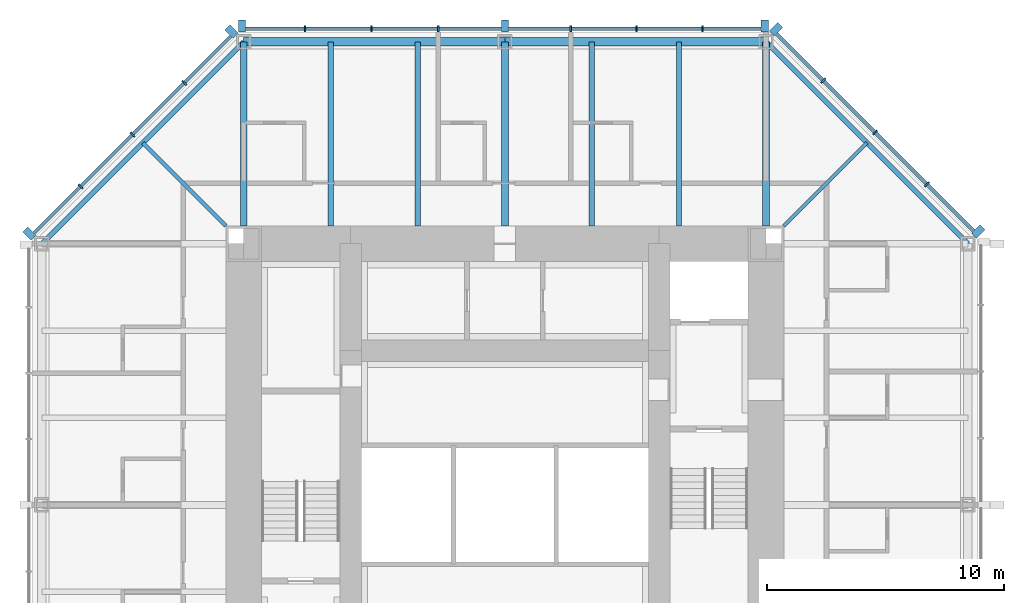
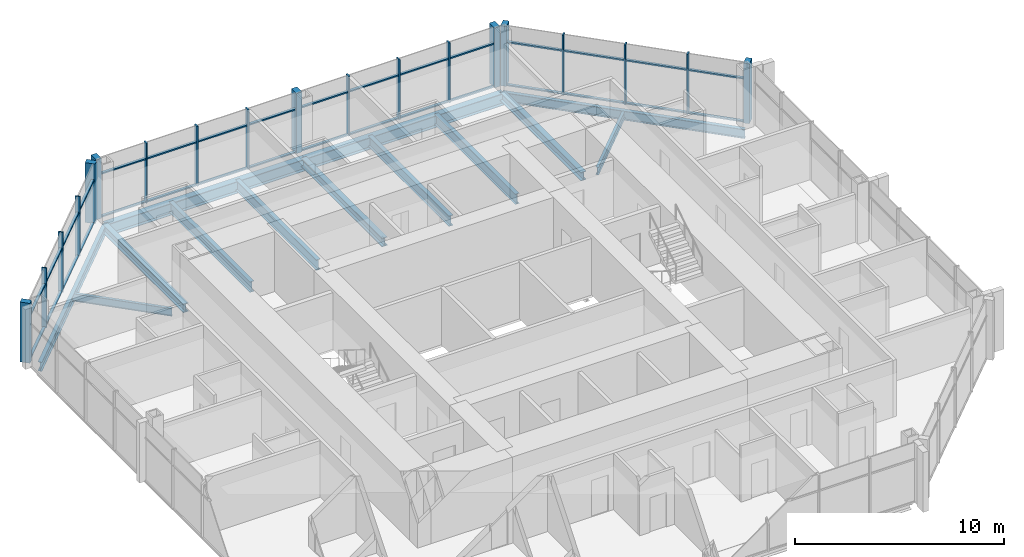
# One storey, part 5 of 12: 51 members, 13 beams, 3 elements without a shape of their own.
"""IFC4 building model written with IfcOpenShell, lengths in metres."""

import ifcopenshell
import ifcopenshell.guid

model = None  # the IFC model being written
_history = None  # IfcOwnerHistory: only IFC2X3 demands one
_inside = {}  # id of a spatial element -> (the spatial element, [elements in it])
_under = {}  # id of a project, library or spatial element -> (it, [spatial elements below it])
_declared = {}  # id of a project -> (the project, [libraries it declares])
_typed = {}  # id of a type object -> (the type object, [elements of that type])
_made_of = {}  # id of a material, layer set ... -> (it, [elements and type objects made of it])


def new_model(schema):
    """Start an empty IFC model of exactly this schema.

    Asked for "IFC4X3", IfcOpenShell would pick the latest addendum, in which some entities
    have other attributes; the version numbers below select the first issue.
    IFC2X3 requires an IfcOwnerHistory on every rooted entity: one is made here for all.
    """
    global model, _history
    if schema == "IFC4X3":
        model = ifcopenshell.file(schema_version=(4, 3, 0, 0))
    else:
        model = ifcopenshell.file(schema=schema)
    _inside.clear()
    _under.clear()
    _declared.clear()
    _typed.clear()
    _made_of.clear()
    _history = None
    if model.schema == "IFC2X3":
        org = make("IfcOrganization", Name="unknown")
        user = make(
            "IfcPersonAndOrganization",
            ThePerson=make("IfcPerson", FamilyName="unknown"),
            TheOrganization=org,
        )
        app = make(
            "IfcApplication",
            ApplicationDeveloper=org,
            Version="unknown",
            ApplicationFullName="unknown",
            ApplicationIdentifier="unknown",
        )
        _history = make(
            "IfcOwnerHistory",
            OwningUser=user,
            OwningApplication=app,
            ChangeAction="ADDED",
            CreationDate=0,
        )
    return model


def make(cls, **values):
    """One entity of the class cls with the attributes given. An attribute that is None is left unset."""
    return model.create_entity(
        cls, **{name: value for name, value in values.items() if value is not None}
    )


def rooted(cls, **values):
    """An entity with a GlobalId (a new one), such as an element, a storey or a relation."""
    return make(cls, GlobalId=ifcopenshell.guid.new(), OwnerHistory=_history, **values)


def si_unit(unit_type, name, prefix=None):
    """IfcSIUnit, for example si_unit("LENGTHUNIT", "METRE", prefix="MILLI")."""
    return make("IfcSIUnit", UnitType=unit_type, Prefix=prefix, Name=name)


def assignment(units):
    """IfcUnitAssignment: the units of a project."""
    return None if units is None else make("IfcUnitAssignment", Units=units)


def point(xyz):
    """IfcCartesianPoint."""
    return None if xyz is None else make("IfcCartesianPoint", Coordinates=xyz)


def direction(xyz):
    """IfcDirection."""
    return None if xyz is None else make("IfcDirection", DirectionRatios=xyz)


def frame(location, z_axis=None, x_axis=None):
    """IfcAxis2Placement3D, a coordinate frame: its origin and axes. An axis left out is left unset."""
    return make(
        "IfcAxis2Placement3D",
        Location=point(location),
        Axis=direction(z_axis),
        RefDirection=direction(x_axis),
    )


def frame_2d(location, x_axis=None):
    """IfcAxis2Placement2D, a coordinate frame in the plane: its origin and x axis."""
    return make(
        "IfcAxis2Placement2D", Location=point(location), RefDirection=direction(x_axis)
    )


def origin():
    """The frame at (0, 0, 0) with its axes left unset."""
    return frame((0.0, 0.0, 0.0))


def origin_2d():
    """The frame at (0, 0) in the plane with its x axis left unset."""
    return frame_2d((0.0, 0.0))


def place(relative_to, where):
    """IfcLocalPlacement: puts the frame where relative to a parent placement (None: the world)."""
    return make(
        "IfcLocalPlacement", PlacementRelTo=relative_to, RelativePlacement=where
    )


def context(
    kind, dimensions, precision=None, world=None, true_north=None, identifier=None
):
    """IfcGeometricRepresentationContext, for example the 3D "Model" context."""
    return make(
        "IfcGeometricRepresentationContext",
        ContextIdentifier=identifier,
        ContextType=kind,
        CoordinateSpaceDimension=dimensions,
        Precision=precision,
        WorldCoordinateSystem=world,
        TrueNorth=true_north,
    )


def subcontext(parent, identifier, kind, view, scale=None):
    """IfcGeometricRepresentationSubContext, for example "Body" below "Model"."""
    return make(
        "IfcGeometricRepresentationSubContext",
        ContextIdentifier=identifier,
        ContextType=kind,
        ParentContext=parent,
        TargetScale=scale,
        TargetView=view,
    )


def project(units=None, contexts=None):
    """IfcProject with its units and contexts."""
    return rooted(
        "IfcProject",
        Name="project",
        RepresentationContexts=contexts,
        UnitsInContext=assignment(units),
    )


def spatial(cls, under=None, at=None, **own):
    """A site, building, storey or space (cls), placed at a placement, below another one or the project."""
    s = rooted(cls, ObjectPlacement=at, **own)
    if under is not None:
        _under.setdefault(under.id(), (under, []))[1].append(s)
    return s


def profile(cls, at=None, kind="AREA", **sizes):
    """A parametric profile (cls). Its sizes go by their IFC names, for example OverallWidth=200.0."""
    return make(cls, ProfileType=kind, Position=at, **sizes)


def rectangle(**sizes):
    """IfcRectangleProfileDef."""
    return profile("IfcRectangleProfileDef", **sizes)


def i_section(**sizes):
    """IfcIShapeProfileDef."""
    return profile("IfcIShapeProfileDef", **sizes)


def extrude(swept, where, along, depth):
    """IfcExtrudedAreaSolid: the profile swept, set in the frame where, extruded along a direction by depth."""
    return make(
        "IfcExtrudedAreaSolid",
        SweptArea=swept,
        Position=where,
        ExtrudedDirection=direction(along),
        Depth=depth,
    )


def shape(context_of_items, identifier, shape_type, items):
    """IfcShapeRepresentation: the items that make up one representation, for example the "Body"."""
    return make(
        "IfcShapeRepresentation",
        ContextOfItems=context_of_items,
        RepresentationIdentifier=identifier,
        RepresentationType=shape_type,
        Items=items,
    )


def material(Name=None, Category=None):
    """IfcMaterial."""
    return make("IfcMaterial", Name=Name, Category=Category)


def material_profile(
    of_material, cross_section, Name=None, Category=None, Priority=None
):
    """IfcMaterialProfile: a cross section and its material."""
    return make(
        "IfcMaterialProfile",
        Name=Name,
        Material=of_material,
        Profile=cross_section,
        Priority=Priority,
        Category=Category,
    )


def profile_set(profiles, Name=None, composite=None):
    """IfcMaterialProfileSet."""
    return make(
        "IfcMaterialProfileSet",
        Name=Name,
        MaterialProfiles=profiles,
        CompositeProfile=composite,
    )


def made_of(thing, what):
    """Note that an element or type object is made of a material, layer set ...; save() writes the relation."""
    if what is not None:
        _made_of.setdefault(what.id(), (what, []))[1].append(thing)
    return thing


def type_object(cls, material=None, **own):
    """A type object (cls), such as IfcWallType, which elements share."""
    return made_of(rooted(cls, **own), material)


def element(
    cls,
    number,
    at=None,
    inside=None,
    cuts=None,
    type_object=None,
    material=None,
    context=None,
    identifier="Body",
    shape_type=None,
    held_by="IfcProductDefinitionShape",
    body=None,
    shapes=None,
    **own,
):
    """One element of the class cls, such as IfcWall. Its Tag is "e" and its number.

    at: its placement. inside: the storey or other place that contains it. cuts: it is an
    opening in that element (IfcRelVoidsElement). A single representation is given by context,
    identifier, shape_type and body (its items); several are given by shapes. held_by: the class
    of the entity that holds the representations. save() writes the other relations.
    """
    e = rooted(cls, Tag="e%d" % number, ObjectPlacement=at, **own)
    if body is not None:
        shapes = [shape(context, identifier, shape_type, body)]
    if shapes is not None:
        e.Representation = make(held_by, Representations=shapes)
    if inside is not None:
        _inside.setdefault(inside.id(), (inside, []))[1].append(e)
    if cuts is not None:
        rooted(
            "IfcRelVoidsElement", RelatingBuildingElement=cuts, RelatedOpeningElement=e
        )
    if type_object is not None:
        _typed.setdefault(type_object.id(), (type_object, []))[1].append(e)
    return made_of(e, material)


def aggregate(whole, parts):
    """IfcRelAggregates: a whole, such as a stair, and the parts it consists of."""
    return rooted("IfcRelAggregates", RelatingObject=whole, RelatedObjects=parts)


def save(model, path):
    """Write the relations noted so far, then the file.

    IfcRelAggregates (storeys below a building ...), IfcRelContainedInSpatialStructure (elements
    in a storey), IfcRelDefinesByType, IfcRelAssociatesMaterial and IfcRelDeclares: one each for
    every whole, place, type object, material and project.
    """
    for whole, parts in _under.values():
        aggregate(whole, parts)
    for where, things in _inside.values():
        rooted(
            "IfcRelContainedInSpatialStructure",
            RelatedElements=things,
            RelatingStructure=where,
        )
    for kind, things in _typed.values():
        rooted("IfcRelDefinesByType", RelatedObjects=things, RelatingType=kind)
    for what, things in _made_of.values():
        rooted("IfcRelAssociatesMaterial", RelatedObjects=things, RelatingMaterial=what)
    for by, libraries in _declared.values():
        rooted("IfcRelDeclares", RelatingContext=by, RelatedDefinitions=libraries)
    model.write(path)


model = new_model("IFC4")

# Units and contexts
model_context = context("Model", 3, precision=1e-05, world=origin(), true_north=direction((0.0, 1.0)))
body_context = subcontext(model_context, "Body", "Model", "MODEL_VIEW")
ifc_project = project(units=[si_unit("LENGTHUNIT", "METRE"), si_unit("AREAUNIT", "SQUARE_METRE"), si_unit("VOLUMEUNIT", "CUBIC_METRE"), si_unit("PLANEANGLEUNIT", "RADIAN"), si_unit("MASSUNIT", "GRAM", prefix="KILO")], contexts=[model_context])

# Site, building, storey
site_placement = place(None, origin())
site = spatial("IfcSite", under=ifc_project, at=site_placement, CompositionType="ELEMENT")
building_placement = place(site_placement, origin())
building = spatial("IfcBuilding", under=site, at=building_placement, Name="Trevanion Tower", CompositionType="ELEMENT")
storey_placement = place(building_placement, frame((0.0, 0.0, 208.199951171875)))
storey = spatial("IfcBuildingStorey", under=building, at=storey_placement, Name="L49", CompositionType="ELEMENT", Elevation=208.199951171875)

# Beams
ifc_material_1 = material(Name="Steel ASTM A992 Grade 50", Category="steel")
ifc_material_profile_1 = material_profile(ifc_material_1, i_section(OverallWidth=0.228271484375, OverallDepth=0.607177734375, WebThickness=0.01123046875, FlangeThickness=0.017333984375, at=origin_2d()), Name="W24X76")
ifc_profile_set_1 = profile_set([ifc_material_profile_1], Name="Steel ASTM A992 Grade 50")
beam_type_1 = type_object("IfcBeamType", Name="B11 W24X76", PredefinedType="BEAM", material=ifc_profile_set_1)
for number, where, z_axis, x_axis, name in (
    (1, (7.333251953125, 11.75, -0.493408203125), (0.0, 1.0, 0.0), (-1.0, 0.0, 0.0), "B11 L49"),
    (2, (3.666748046875, 11.75, -0.493408203125), (0.0, 1.0, 0.0), (-1.0, 0.0, 0.0), "B11 L49"),
    (3, (-3.666748046875, 11.75, -0.493408203125), (0.0, 1.0, 0.0), (-1.0, 0.0, 0.0), "B11 L49"),
    (4, (-7.333251953125, 11.75, -0.493408203125), (0.0, 1.0, 0.0), (-1.0, 0.0, 0.0), "B11 L49"),
):
    element("IfcBeam", number, at=place(storey_placement, frame(where, z_axis=z_axis, x_axis=x_axis)), inside=storey, type_object=beam_type_1, Name=name, PredefinedType="BEAM", context=body_context, shape_type="SweptSolid", body=[
        extrude(i_section(OverallWidth=0.228271484375, OverallDepth=0.607177734375, WebThickness=0.01123046875, FlangeThickness=0.017333984375, at=origin_2d()), origin(), (0.0, 0.0, 1.0), 7.75),
    ])
ifc_material_2 = material(Name="Steel ASTM A992 Grade 50", Category="steel")
ifc_material_profile_2 = material_profile(ifc_material_2, i_section(OverallWidth=0.15234375, OverallDepth=0.449462890625, WebThickness=0.007568359375, FlangeThickness=0.0107421875, at=origin_2d()), Name="W18X35")
ifc_profile_set_2 = profile_set([ifc_material_profile_2], Name="Steel ASTM A992 Grade 50")
beam_type_2 = type_object("IfcBeamType", Name="B12 W18X35", PredefinedType="BEAM", material=ifc_profile_set_2)
for number, where, z_axis, x_axis, name in (
    (5, (11.75, 11.75, -0.414794921875), (0.707106781187, 0.707106781187, 0.0), (-0.707106781187, 0.707106781187, 0.0), "B12 L49"),
    (6, (-11.75, 11.75, -0.414794921875), (-0.707106781187, 0.707106781187, 0.0), (-0.707106781187, -0.707106781187, 0.0), "B12 L49"),
):
    element("IfcBeam", number, at=place(storey_placement, frame(where, z_axis=z_axis, x_axis=x_axis)), inside=storey, type_object=beam_type_2, Name=name, PredefinedType="BEAM", context=body_context, shape_type="SweptSolid", body=[
        extrude(i_section(OverallWidth=0.15234375, OverallDepth=0.449462890625, WebThickness=0.007568359375, FlangeThickness=0.0107421875, at=origin_2d()), origin(), (0.0, 0.0, 1.0), 4.94970703125),
    ])

# Curtain wall, members
ifc_material_3 = material(Name="Aluminium and glass", Category="aluminium")
curtain_wall_type = type_object("IfcCurtainWallType", Name="CW3 curtain wall", PredefinedType="USERDEFINED", material=ifc_material_3)
curtain_wall_1_placement = place(storey_placement, origin())
curtain_wall_1 = element("IfcCurtainWall", 7, at=curtain_wall_1_placement, inside=storey, type_object=curtain_wall_type, Name="CW3 L49 1", ObjectType="UNITISED CURTAIN WALL", PredefinedType="USERDEFINED")
ifc_material_4 = material(Name="Aluminium extrusion, anodised bronze", Category="aluminium")
ifc_material_profile_3 = material_profile(ifc_material_4, rectangle(XDim=0.074951171875, YDim=0.25, at=origin_2d()), Name="CW3 mullion")
ifc_profile_set_3 = profile_set([ifc_material_profile_3], Name="Aluminium extrusion, anodised bronze")
member_type_1 = type_object("IfcMemberType", Name="CW3 mullion", PredefinedType="MULLION", material=ifc_profile_set_3)
member_1_placement = place(storey_placement, frame((17.775390625, 13.502197265625, -0.18994140625), z_axis=(0.0, 0.0, 1.0), x_axis=(-0.707106781187, 0.707106781187, 0.0)))
member_1 = element("IfcMember", 8, at=member_1_placement, type_object=member_type_1, Name="CW3 mullion 2", PredefinedType="MULLION", context=body_context, shape_type="SweptSolid", body=[
    extrude(rectangle(XDim=0.074951171875, YDim=0.25, at=origin_2d()), origin(), (0.0, 0.0, 1.0), 3.5),
])
member_2_placement = place(storey_placement, frame((15.593017578125, 15.684814453125, -0.18994140625), z_axis=(0.0, 0.0, 1.0), x_axis=(-0.707106781187, 0.707106781187, 0.0)))
member_2 = element("IfcMember", 9, at=member_2_placement, type_object=member_type_1, Name="CW3 mullion 3", PredefinedType="MULLION", context=body_context, shape_type="SweptSolid", body=[
    extrude(rectangle(XDim=0.074951171875, YDim=0.25, at=origin_2d()), origin(), (0.0, 0.0, 1.0), 3.5),
])
member_3_placement = place(storey_placement, frame((13.410400390625, 17.867431640625, -0.18994140625), z_axis=(0.0, 0.0, 1.0), x_axis=(-0.707106781187, 0.707106781187, 0.0)))
member_3 = element("IfcMember", 10, at=member_3_placement, type_object=member_type_1, Name="CW3 mullion 4", PredefinedType="MULLION", context=body_context, shape_type="SweptSolid", body=[
    extrude(rectangle(XDim=0.074951171875, YDim=0.25, at=origin_2d()), origin(), (0.0, 0.0, 1.0), 3.5),
])

curtain_wall_2_placement = place(storey_placement, origin())
curtain_wall_2 = element("IfcCurtainWall", 11, at=curtain_wall_2_placement, inside=storey, type_object=curtain_wall_type, Name="CW3 L49 2", ObjectType="UNITISED CURTAIN WALL", PredefinedType="USERDEFINED")
member_4_placement = place(storey_placement, frame((8.323486328125, 20.050048828125, -0.18994140625), z_axis=(0.0, 0.0, 1.0), x_axis=(-1.0, 0.0, 0.0)))
member_4 = element("IfcMember", 12, at=member_4_placement, type_object=member_type_1, Name="CW3 mullion 2", PredefinedType="MULLION", context=body_context, shape_type="SweptSolid", body=[
    extrude(rectangle(XDim=0.074951171875, YDim=0.25, at=origin_2d()), origin(), (0.0, 0.0, 1.0), 3.5),
])
member_5_placement = place(storey_placement, frame((5.548828125, 20.050048828125, -0.18994140625), z_axis=(0.0, 0.0, 1.0), x_axis=(-1.0, 0.0, 0.0)))
member_5 = element("IfcMember", 13, at=member_5_placement, type_object=member_type_1, Name="CW3 mullion 3", PredefinedType="MULLION", context=body_context, shape_type="SweptSolid", body=[
    extrude(rectangle(XDim=0.074951171875, YDim=0.25, at=origin_2d()), origin(), (0.0, 0.0, 1.0), 3.5),
])
member_6_placement = place(storey_placement, frame((2.7744140625, 20.050048828125, -0.18994140625), z_axis=(0.0, 0.0, 1.0), x_axis=(-1.0, 0.0, 0.0)))
member_6 = element("IfcMember", 14, at=member_6_placement, type_object=member_type_1, Name="CW3 mullion 4", PredefinedType="MULLION", context=body_context, shape_type="SweptSolid", body=[
    extrude(rectangle(XDim=0.074951171875, YDim=0.25, at=origin_2d()), origin(), (0.0, 0.0, 1.0), 3.5),
])
member_7_placement = place(storey_placement, frame((-2.806884765625, 20.050048828125, -0.18994140625), z_axis=(0.0, 0.0, 1.0), x_axis=(-1.0, 0.0, 0.0)))
member_7 = element("IfcMember", 15, at=member_7_placement, type_object=member_type_1, Name="CW3 mullion 6", PredefinedType="MULLION", context=body_context, shape_type="SweptSolid", body=[
    extrude(rectangle(XDim=0.074951171875, YDim=0.25, at=origin_2d()), origin(), (0.0, 0.0, 1.0), 3.5),
])
member_8_placement = place(storey_placement, frame((-5.614013671875, 20.050048828125, -0.18994140625), z_axis=(0.0, 0.0, 1.0), x_axis=(-1.0, 0.0, 0.0)))
member_8 = element("IfcMember", 16, at=member_8_placement, type_object=member_type_1, Name="CW3 mullion 7", PredefinedType="MULLION", context=body_context, shape_type="SweptSolid", body=[
    extrude(rectangle(XDim=0.074951171875, YDim=0.25, at=origin_2d()), origin(), (0.0, 0.0, 1.0), 3.5),
])
member_9_placement = place(storey_placement, frame((-8.4208984375, 20.050048828125, -0.18994140625), z_axis=(0.0, 0.0, 1.0), x_axis=(-1.0, 0.0, 0.0)))
member_9 = element("IfcMember", 17, at=member_9_placement, type_object=member_type_1, Name="CW3 mullion 8", PredefinedType="MULLION", context=body_context, shape_type="SweptSolid", body=[
    extrude(rectangle(XDim=0.074951171875, YDim=0.25, at=origin_2d()), origin(), (0.0, 0.0, 1.0), 3.5),
])

curtain_wall_3_placement = place(storey_placement, origin())
curtain_wall_3 = element("IfcCurtainWall", 18, at=curtain_wall_3_placement, inside=storey, type_object=curtain_wall_type, Name="CW3 L49 3", ObjectType="UNITISED CURTAIN WALL", PredefinedType="USERDEFINED")
member_10_placement = place(storey_placement, frame((-13.502197265625, 17.775390625, -0.18994140625), z_axis=(0.0, 0.0, 1.0), x_axis=(-0.707106781187, -0.707106781187, 0.0)))
member_10 = element("IfcMember", 19, at=member_10_placement, type_object=member_type_1, Name="CW3 mullion 2", PredefinedType="MULLION", context=body_context, shape_type="SweptSolid", body=[
    extrude(rectangle(XDim=0.074951171875, YDim=0.25, at=origin_2d()), origin(), (0.0, 0.0, 1.0), 3.5),
])
member_11_placement = place(storey_placement, frame((-15.684814453125, 15.593017578125, -0.18994140625), z_axis=(0.0, 0.0, 1.0), x_axis=(-0.707106781187, -0.707106781187, 0.0)))
member_11 = element("IfcMember", 20, at=member_11_placement, type_object=member_type_1, Name="CW3 mullion 3", PredefinedType="MULLION", context=body_context, shape_type="SweptSolid", body=[
    extrude(rectangle(XDim=0.074951171875, YDim=0.25, at=origin_2d()), origin(), (0.0, 0.0, 1.0), 3.5),
])
member_12_placement = place(storey_placement, frame((-17.867431640625, 13.410400390625, -0.18994140625), z_axis=(0.0, 0.0, 1.0), x_axis=(-0.707106781187, -0.707106781187, 0.0)))
member_12 = element("IfcMember", 21, at=member_12_placement, type_object=member_type_1, Name="CW3 mullion 4", PredefinedType="MULLION", context=body_context, shape_type="SweptSolid", body=[
    extrude(rectangle(XDim=0.074951171875, YDim=0.25, at=origin_2d()), origin(), (0.0, 0.0, 1.0), 3.5),
])

# Member
ifc_material_5 = material(Name="Aluminium extrusion, anodised bronze", Category="aluminium")
ifc_material_profile_4 = material_profile(ifc_material_5, rectangle(XDim=0.300048828125, YDim=0.5, at=origin_2d()), Name="CW3 pier mullion")
ifc_profile_set_4 = profile_set([ifc_material_profile_4], Name="Aluminium extrusion, anodised bronze")
member_type_2 = type_object("IfcMemberType", Name="CW3 pier mullion", PredefinedType="MULLION", material=ifc_profile_set_4)
member_13_placement = place(storey_placement, frame((19.9404296875, 11.51416015625, -0.18994140625), z_axis=(0.0, 0.0, 1.0), x_axis=(-0.707106781187, 0.707106781187, 0.0)))
member_13 = element("IfcMember", 22, at=member_13_placement, type_object=member_type_2, Name="CW3 pier mullion 1", PredefinedType="MULLION", context=body_context, shape_type="SweptSolid", body=[
    extrude(rectangle(XDim=0.300048828125, YDim=0.5, at=origin_2d()), origin(), (0.0, 0.0, 1.0), 3.5),
])

member_14_placement = place(storey_placement, frame((11.42236328125, 20.0322265625, -0.18994140625), z_axis=(0.0, 0.0, 1.0), x_axis=(-0.707106781187, 0.707106781187, 0.0)))
member_14 = element("IfcMember", 23, at=member_14_placement, type_object=member_type_2, Name="CW3 pier mullion 5", PredefinedType="MULLION", context=body_context, shape_type="SweptSolid", body=[
    extrude(rectangle(XDim=0.300048828125, YDim=0.5, at=origin_2d()), origin(), (0.0, 0.0, 1.0), 3.5),
])

member_15_placement = place(storey_placement, frame((10.94775390625, 20.175048828125, -0.18994140625), z_axis=(0.0, 0.0, 1.0), x_axis=(-1.0, 0.0, 0.0)))
member_15 = element("IfcMember", 24, at=member_15_placement, type_object=member_type_2, Name="CW3 pier mullion 1", PredefinedType="MULLION", context=body_context, shape_type="SweptSolid", body=[
    extrude(rectangle(XDim=0.300048828125, YDim=0.5, at=origin_2d()), origin(), (0.0, 0.0, 1.0), 3.5),
])

member_16_placement = place(storey_placement, frame((0.0, 20.175048828125, -0.18994140625), z_axis=(0.0, 0.0, 1.0), x_axis=(-1.0, 0.0, 0.0)))
member_16 = element("IfcMember", 25, at=member_16_placement, type_object=member_type_2, Name="CW3 pier mullion 5", PredefinedType="MULLION", context=body_context, shape_type="SweptSolid", body=[
    extrude(rectangle(XDim=0.300048828125, YDim=0.5, at=origin_2d()), origin(), (0.0, 0.0, 1.0), 3.5),
])

member_17_placement = place(storey_placement, frame((-11.077880859375, 20.175048828125, -0.18994140625), z_axis=(0.0, 0.0, 1.0), x_axis=(-1.0, 0.0, 0.0)))
member_17 = element("IfcMember", 26, at=member_17_placement, type_object=member_type_2, Name="CW3 pier mullion 9", PredefinedType="MULLION", context=body_context, shape_type="SweptSolid", body=[
    extrude(rectangle(XDim=0.300048828125, YDim=0.5, at=origin_2d()), origin(), (0.0, 0.0, 1.0), 3.5),
])

member_18_placement = place(storey_placement, frame((-11.51416015625, 19.9404296875, -0.18994140625), z_axis=(0.0, 0.0, 1.0), x_axis=(-0.707106781187, -0.707106781187, 0.0)))
member_18 = element("IfcMember", 27, at=member_18_placement, type_object=member_type_2, Name="CW3 pier mullion 1", PredefinedType="MULLION", context=body_context, shape_type="SweptSolid", body=[
    extrude(rectangle(XDim=0.300048828125, YDim=0.5, at=origin_2d()), origin(), (0.0, 0.0, 1.0), 3.5),
])

member_19_placement = place(storey_placement, frame((-20.0322265625, 11.42236328125, -0.18994140625), z_axis=(0.0, 0.0, 1.0), x_axis=(-0.707106781187, -0.707106781187, 0.0)))
member_19 = element("IfcMember", 28, at=member_19_placement, type_object=member_type_2, Name="CW3 pier mullion 5", PredefinedType="MULLION", context=body_context, shape_type="SweptSolid", body=[
    extrude(rectangle(XDim=0.300048828125, YDim=0.5, at=origin_2d()), origin(), (0.0, 0.0, 1.0), 3.5),
])

ifc_material_6 = material(Name="Aluminium extrusion, anodised bronze", Category="aluminium")
ifc_material_profile_5 = material_profile(ifc_material_6, rectangle(XDim=0.14990234375, YDim=0.074951171875, at=origin_2d()), Name="CW3 transom")
ifc_profile_set_5 = profile_set([ifc_material_profile_5], Name="Aluminium extrusion, anodised bronze")
member_type_3 = type_object("IfcMemberType", Name="CW3 transom", PredefinedType="USERDEFINED", material=ifc_profile_set_5)
member_20_placement = place(storey_placement, frame((19.745849609375, 11.531982421875, -0.15234375), z_axis=(-0.707106781187, 0.707106781187, 0.0), x_axis=(-0.707106781187, -0.707106781187, 0.0)))
member_20 = element("IfcMember", 29, at=member_20_placement, type_object=member_type_3, Name="CW3 transom 1.1", ObjectType="TRANSOM", PredefinedType="USERDEFINED", context=body_context, shape_type="SweptSolid", body=[
    extrude(rectangle(XDim=0.14990234375, YDim=0.074951171875, at=origin_2d()), origin(), (0.0, 0.0, 1.0), 2.7490234375),
])

member_21_placement = place(storey_placement, frame((19.745849609375, 11.531982421875, 2.360107421875), z_axis=(-0.707106781187, 0.707106781187, 0.0), x_axis=(-0.707106781187, -0.707106781187, 0.0)))
member_21 = element("IfcMember", 30, at=member_21_placement, type_object=member_type_3, Name="CW3 transom 1.2", ObjectType="TRANSOM", PredefinedType="USERDEFINED", context=body_context, shape_type="SweptSolid", body=[
    extrude(rectangle(XDim=0.14990234375, YDim=0.074951171875, at=origin_2d()), origin(), (0.0, 0.0, 1.0), 2.7490234375),
])

member_22_placement = place(storey_placement, frame((17.7490234375, 13.52880859375, -0.15234375), z_axis=(-0.707106781187, 0.707106781187, 0.0), x_axis=(-0.707106781187, -0.707106781187, 0.0)))
member_22 = element("IfcMember", 31, at=member_22_placement, type_object=member_type_3, Name="CW3 transom 2.1", ObjectType="TRANSOM", PredefinedType="USERDEFINED", context=body_context, shape_type="SweptSolid", body=[
    extrude(rectangle(XDim=0.14990234375, YDim=0.074951171875, at=origin_2d()), origin(), (0.0, 0.0, 1.0), 3.01171875),
])

member_23_placement = place(storey_placement, frame((17.7490234375, 13.52880859375, 2.360107421875), z_axis=(-0.707106781187, 0.707106781187, 0.0), x_axis=(-0.707106781187, -0.707106781187, 0.0)))
member_23 = element("IfcMember", 32, at=member_23_placement, type_object=member_type_3, Name="CW3 transom 2.2", ObjectType="TRANSOM", PredefinedType="USERDEFINED", context=body_context, shape_type="SweptSolid", body=[
    extrude(rectangle(XDim=0.14990234375, YDim=0.074951171875, at=origin_2d()), origin(), (0.0, 0.0, 1.0), 3.01171875),
])

member_24_placement = place(storey_placement, frame((15.56640625, 15.71142578125, -0.15234375), z_axis=(-0.707106781187, 0.707106781187, 0.0), x_axis=(-0.707106781187, -0.707106781187, 0.0)))
member_24 = element("IfcMember", 33, at=member_24_placement, type_object=member_type_3, Name="CW3 transom 3.1", ObjectType="TRANSOM", PredefinedType="USERDEFINED", context=body_context, shape_type="SweptSolid", body=[
    extrude(rectangle(XDim=0.14990234375, YDim=0.074951171875, at=origin_2d()), origin(), (0.0, 0.0, 1.0), 3.011474609375),
])

member_25_placement = place(storey_placement, frame((15.56640625, 15.71142578125, 2.360107421875), z_axis=(-0.707106781187, 0.707106781187, 0.0), x_axis=(-0.707106781187, -0.707106781187, 0.0)))
member_25 = element("IfcMember", 34, at=member_25_placement, type_object=member_type_3, Name="CW3 transom 3.2", ObjectType="TRANSOM", PredefinedType="USERDEFINED", context=body_context, shape_type="SweptSolid", body=[
    extrude(rectangle(XDim=0.14990234375, YDim=0.074951171875, at=origin_2d()), origin(), (0.0, 0.0, 1.0), 3.011474609375),
])

member_26_placement = place(storey_placement, frame((13.3837890625, 17.89404296875, -0.15234375), z_axis=(-0.707106781187, 0.707106781187, 0.0), x_axis=(-0.707106781187, -0.707106781187, 0.0)))
member_26 = element("IfcMember", 35, at=member_26_placement, type_object=member_type_3, Name="CW3 transom 4.1", ObjectType="TRANSOM", PredefinedType="USERDEFINED", context=body_context, shape_type="SweptSolid", body=[
    extrude(rectangle(XDim=0.14990234375, YDim=0.074951171875, at=origin_2d()), origin(), (0.0, 0.0, 1.0), 2.7490234375),
])

member_27_placement = place(storey_placement, frame((13.3837890625, 17.89404296875, 2.360107421875), z_axis=(-0.707106781187, 0.707106781187, 0.0), x_axis=(-0.707106781187, -0.707106781187, 0.0)))
member_27 = element("IfcMember", 36, at=member_27_placement, type_object=member_type_3, Name="CW3 transom 4.2", ObjectType="TRANSOM", PredefinedType="USERDEFINED", context=body_context, shape_type="SweptSolid", body=[
    extrude(rectangle(XDim=0.14990234375, YDim=0.074951171875, at=origin_2d()), origin(), (0.0, 0.0, 1.0), 2.7490234375),
])

aggregate(curtain_wall_1, [member_13, member_1, member_2, member_3, member_14, member_20, member_21, member_22, member_23, member_24, member_25, member_26, member_27])

member_28_placement = place(storey_placement, frame((10.7978515625, 20.050048828125, -0.15234375), z_axis=(-1.0, 0.0, 0.0), x_axis=(0.0, -1.0, 0.0)))
member_28 = element("IfcMember", 37, at=member_28_placement, type_object=member_type_3, Name="CW3 transom 1.1", ObjectType="TRANSOM", PredefinedType="USERDEFINED", context=body_context, shape_type="SweptSolid", body=[
    extrude(rectangle(XDim=0.14990234375, YDim=0.074951171875, at=origin_2d()), origin(), (0.0, 0.0, 1.0), 2.43701171875),
])

member_29_placement = place(storey_placement, frame((10.7978515625, 20.050048828125, 2.360107421875), z_axis=(-1.0, 0.0, 0.0), x_axis=(0.0, -1.0, 0.0)))
member_29 = element("IfcMember", 38, at=member_29_placement, type_object=member_type_3, Name="CW3 transom 1.2", ObjectType="TRANSOM", PredefinedType="USERDEFINED", context=body_context, shape_type="SweptSolid", body=[
    extrude(rectangle(XDim=0.14990234375, YDim=0.074951171875, at=origin_2d()), origin(), (0.0, 0.0, 1.0), 2.43701171875),
])

member_30_placement = place(storey_placement, frame((8.285888671875, 20.050048828125, -0.15234375), z_axis=(-1.0, 0.0, 0.0), x_axis=(0.0, -1.0, 0.0)))
member_30 = element("IfcMember", 39, at=member_30_placement, type_object=member_type_3, Name="CW3 transom 2.1", ObjectType="TRANSOM", PredefinedType="USERDEFINED", context=body_context, shape_type="SweptSolid", body=[
    extrude(rectangle(XDim=0.14990234375, YDim=0.074951171875, at=origin_2d()), origin(), (0.0, 0.0, 1.0), 2.699462890625),
])

member_31_placement = place(storey_placement, frame((8.285888671875, 20.050048828125, 2.360107421875), z_axis=(-1.0, 0.0, 0.0), x_axis=(0.0, -1.0, 0.0)))
member_31 = element("IfcMember", 40, at=member_31_placement, type_object=member_type_3, Name="CW3 transom 2.2", ObjectType="TRANSOM", PredefinedType="USERDEFINED", context=body_context, shape_type="SweptSolid", body=[
    extrude(rectangle(XDim=0.14990234375, YDim=0.074951171875, at=origin_2d()), origin(), (0.0, 0.0, 1.0), 2.699462890625),
])

member_32_placement = place(storey_placement, frame((5.511474609375, 20.050048828125, -0.15234375), z_axis=(-1.0, 0.0, 0.0), x_axis=(0.0, -1.0, 0.0)))
member_32 = element("IfcMember", 41, at=member_32_placement, type_object=member_type_3, Name="CW3 transom 3.1", ObjectType="TRANSOM", PredefinedType="USERDEFINED", context=body_context, shape_type="SweptSolid", body=[
    extrude(rectangle(XDim=0.14990234375, YDim=0.074951171875, at=origin_2d()), origin(), (0.0, 0.0, 1.0), 2.699462890625),
])

member_33_placement = place(storey_placement, frame((5.511474609375, 20.050048828125, 2.360107421875), z_axis=(-1.0, 0.0, 0.0), x_axis=(0.0, -1.0, 0.0)))
member_33 = element("IfcMember", 42, at=member_33_placement, type_object=member_type_3, Name="CW3 transom 3.2", ObjectType="TRANSOM", PredefinedType="USERDEFINED", context=body_context, shape_type="SweptSolid", body=[
    extrude(rectangle(XDim=0.14990234375, YDim=0.074951171875, at=origin_2d()), origin(), (0.0, 0.0, 1.0), 2.699462890625),
])

member_34_placement = place(storey_placement, frame((2.737060546875, 20.050048828125, -0.15234375), z_axis=(-1.0, 0.0, 0.0), x_axis=(0.0, -1.0, 0.0)))
member_34 = element("IfcMember", 43, at=member_34_placement, type_object=member_type_3, Name="CW3 transom 4.1", ObjectType="TRANSOM", PredefinedType="USERDEFINED", context=body_context, shape_type="SweptSolid", body=[
    extrude(rectangle(XDim=0.14990234375, YDim=0.074951171875, at=origin_2d()), origin(), (0.0, 0.0, 1.0), 2.587158203125),
])

member_35_placement = place(storey_placement, frame((2.737060546875, 20.050048828125, 2.360107421875), z_axis=(-1.0, 0.0, 0.0), x_axis=(0.0, -1.0, 0.0)))
member_35 = element("IfcMember", 44, at=member_35_placement, type_object=member_type_3, Name="CW3 transom 4.2", ObjectType="TRANSOM", PredefinedType="USERDEFINED", context=body_context, shape_type="SweptSolid", body=[
    extrude(rectangle(XDim=0.14990234375, YDim=0.074951171875, at=origin_2d()), origin(), (0.0, 0.0, 1.0), 2.587158203125),
])

member_36_placement = place(storey_placement, frame((-0.14990234375, 20.050048828125, -0.15234375), z_axis=(-1.0, 0.0, 0.0), x_axis=(0.0, -1.0, 0.0)))
member_36 = element("IfcMember", 45, at=member_36_placement, type_object=member_type_3, Name="CW3 transom 5.1", ObjectType="TRANSOM", PredefinedType="USERDEFINED", context=body_context, shape_type="SweptSolid", body=[
    extrude(rectangle(XDim=0.14990234375, YDim=0.074951171875, at=origin_2d()), origin(), (0.0, 0.0, 1.0), 2.619384765625),
])

member_37_placement = place(storey_placement, frame((-0.14990234375, 20.050048828125, 2.360107421875), z_axis=(-1.0, 0.0, 0.0), x_axis=(0.0, -1.0, 0.0)))
member_37 = element("IfcMember", 46, at=member_37_placement, type_object=member_type_3, Name="CW3 transom 5.2", ObjectType="TRANSOM", PredefinedType="USERDEFINED", context=body_context, shape_type="SweptSolid", body=[
    extrude(rectangle(XDim=0.14990234375, YDim=0.074951171875, at=origin_2d()), origin(), (0.0, 0.0, 1.0), 2.619384765625),
])

member_38_placement = place(storey_placement, frame((-2.844482421875, 20.050048828125, -0.15234375), z_axis=(-1.0, 0.0, 0.0), x_axis=(0.0, -1.0, 0.0)))
member_38 = element("IfcMember", 47, at=member_38_placement, type_object=member_type_3, Name="CW3 transom 6.1", ObjectType="TRANSOM", PredefinedType="USERDEFINED", context=body_context, shape_type="SweptSolid", body=[
    extrude(rectangle(XDim=0.14990234375, YDim=0.074951171875, at=origin_2d()), origin(), (0.0, 0.0, 1.0), 2.73193359375),
])

member_39_placement = place(storey_placement, frame((-2.844482421875, 20.050048828125, 2.360107421875), z_axis=(-1.0, 0.0, 0.0), x_axis=(0.0, -1.0, 0.0)))
member_39 = element("IfcMember", 48, at=member_39_placement, type_object=member_type_3, Name="CW3 transom 6.2", ObjectType="TRANSOM", PredefinedType="USERDEFINED", context=body_context, shape_type="SweptSolid", body=[
    extrude(rectangle(XDim=0.14990234375, YDim=0.074951171875, at=origin_2d()), origin(), (0.0, 0.0, 1.0), 2.73193359375),
])

member_40_placement = place(storey_placement, frame((-5.6513671875, 20.050048828125, -0.15234375), z_axis=(-1.0, 0.0, 0.0), x_axis=(0.0, -1.0, 0.0)))
member_40 = element("IfcMember", 49, at=member_40_placement, type_object=member_type_3, Name="CW3 transom 7.1", ObjectType="TRANSOM", PredefinedType="USERDEFINED", context=body_context, shape_type="SweptSolid", body=[
    extrude(rectangle(XDim=0.14990234375, YDim=0.074951171875, at=origin_2d()), origin(), (0.0, 0.0, 1.0), 2.73193359375),
])

member_41_placement = place(storey_placement, frame((-5.6513671875, 20.050048828125, 2.360107421875), z_axis=(-1.0, 0.0, 0.0), x_axis=(0.0, -1.0, 0.0)))
member_41 = element("IfcMember", 50, at=member_41_placement, type_object=member_type_3, Name="CW3 transom 7.2", ObjectType="TRANSOM", PredefinedType="USERDEFINED", context=body_context, shape_type="SweptSolid", body=[
    extrude(rectangle(XDim=0.14990234375, YDim=0.074951171875, at=origin_2d()), origin(), (0.0, 0.0, 1.0), 2.73193359375),
])

member_42_placement = place(storey_placement, frame((-8.45849609375, 20.050048828125, -0.15234375), z_axis=(-1.0, 0.0, 0.0), x_axis=(0.0, -1.0, 0.0)))
member_42 = element("IfcMember", 51, at=member_42_placement, type_object=member_type_3, Name="CW3 transom 8.1", ObjectType="TRANSOM", PredefinedType="USERDEFINED", context=body_context, shape_type="SweptSolid", body=[
    extrude(rectangle(XDim=0.14990234375, YDim=0.074951171875, at=origin_2d()), origin(), (0.0, 0.0, 1.0), 2.46923828125),
])

member_43_placement = place(storey_placement, frame((-8.45849609375, 20.050048828125, 2.360107421875), z_axis=(-1.0, 0.0, 0.0), x_axis=(0.0, -1.0, 0.0)))
member_43 = element("IfcMember", 52, at=member_43_placement, type_object=member_type_3, Name="CW3 transom 8.2", ObjectType="TRANSOM", PredefinedType="USERDEFINED", context=body_context, shape_type="SweptSolid", body=[
    extrude(rectangle(XDim=0.14990234375, YDim=0.074951171875, at=origin_2d()), origin(), (0.0, 0.0, 1.0), 2.46923828125),
])

aggregate(curtain_wall_2, [member_15, member_4, member_5, member_6, member_16, member_7, member_8, member_9, member_17, member_28, member_29, member_30, member_31, member_32, member_33, member_34, member_35, member_36, member_37, member_38, member_39, member_40, member_41, member_42, member_43])

member_44_placement = place(storey_placement, frame((-11.531982421875, 19.745849609375, -0.15234375), z_axis=(-0.707106781187, -0.707106781187, 0.0), x_axis=(0.707106781187, -0.707106781187, 0.0)))
member_44 = element("IfcMember", 53, at=member_44_placement, type_object=member_type_3, Name="CW3 transom 1.1", ObjectType="TRANSOM", PredefinedType="USERDEFINED", context=body_context, shape_type="SweptSolid", body=[
    extrude(rectangle(XDim=0.14990234375, YDim=0.074951171875, at=origin_2d()), origin(), (0.0, 0.0, 1.0), 2.7490234375),
])

member_45_placement = place(storey_placement, frame((-11.531982421875, 19.745849609375, 2.360107421875), z_axis=(-0.707106781187, -0.707106781187, 0.0), x_axis=(0.707106781187, -0.707106781187, 0.0)))
member_45 = element("IfcMember", 54, at=member_45_placement, type_object=member_type_3, Name="CW3 transom 1.2", ObjectType="TRANSOM", PredefinedType="USERDEFINED", context=body_context, shape_type="SweptSolid", body=[
    extrude(rectangle(XDim=0.14990234375, YDim=0.074951171875, at=origin_2d()), origin(), (0.0, 0.0, 1.0), 2.7490234375),
])

member_46_placement = place(storey_placement, frame((-13.52880859375, 17.7490234375, -0.15234375), z_axis=(-0.707106781187, -0.707106781187, 0.0), x_axis=(0.707106781187, -0.707106781187, 0.0)))
member_46 = element("IfcMember", 55, at=member_46_placement, type_object=member_type_3, Name="CW3 transom 2.1", ObjectType="TRANSOM", PredefinedType="USERDEFINED", context=body_context, shape_type="SweptSolid", body=[
    extrude(rectangle(XDim=0.14990234375, YDim=0.074951171875, at=origin_2d()), origin(), (0.0, 0.0, 1.0), 3.01171875),
])

member_47_placement = place(storey_placement, frame((-13.52880859375, 17.7490234375, 2.360107421875), z_axis=(-0.707106781187, -0.707106781187, 0.0), x_axis=(0.707106781187, -0.707106781187, 0.0)))
member_47 = element("IfcMember", 56, at=member_47_placement, type_object=member_type_3, Name="CW3 transom 2.2", ObjectType="TRANSOM", PredefinedType="USERDEFINED", context=body_context, shape_type="SweptSolid", body=[
    extrude(rectangle(XDim=0.14990234375, YDim=0.074951171875, at=origin_2d()), origin(), (0.0, 0.0, 1.0), 3.01171875),
])

member_48_placement = place(storey_placement, frame((-15.71142578125, 15.56640625, -0.15234375), z_axis=(-0.707106781187, -0.707106781187, 0.0), x_axis=(0.707106781187, -0.707106781187, 0.0)))
member_48 = element("IfcMember", 57, at=member_48_placement, type_object=member_type_3, Name="CW3 transom 3.1", ObjectType="TRANSOM", PredefinedType="USERDEFINED", context=body_context, shape_type="SweptSolid", body=[
    extrude(rectangle(XDim=0.14990234375, YDim=0.074951171875, at=origin_2d()), origin(), (0.0, 0.0, 1.0), 3.011474609375),
])

member_49_placement = place(storey_placement, frame((-15.71142578125, 15.56640625, 2.360107421875), z_axis=(-0.707106781187, -0.707106781187, 0.0), x_axis=(0.707106781187, -0.707106781187, 0.0)))
member_49 = element("IfcMember", 58, at=member_49_placement, type_object=member_type_3, Name="CW3 transom 3.2", ObjectType="TRANSOM", PredefinedType="USERDEFINED", context=body_context, shape_type="SweptSolid", body=[
    extrude(rectangle(XDim=0.14990234375, YDim=0.074951171875, at=origin_2d()), origin(), (0.0, 0.0, 1.0), 3.011474609375),
])

member_50_placement = place(storey_placement, frame((-17.89404296875, 13.3837890625, -0.15234375), z_axis=(-0.707106781187, -0.707106781187, 0.0), x_axis=(0.707106781187, -0.707106781187, 0.0)))
member_50 = element("IfcMember", 59, at=member_50_placement, type_object=member_type_3, Name="CW3 transom 4.1", ObjectType="TRANSOM", PredefinedType="USERDEFINED", context=body_context, shape_type="SweptSolid", body=[
    extrude(rectangle(XDim=0.14990234375, YDim=0.074951171875, at=origin_2d()), origin(), (0.0, 0.0, 1.0), 2.7490234375),
])

member_51_placement = place(storey_placement, frame((-17.89404296875, 13.3837890625, 2.360107421875), z_axis=(-0.707106781187, -0.707106781187, 0.0), x_axis=(0.707106781187, -0.707106781187, 0.0)))
member_51 = element("IfcMember", 60, at=member_51_placement, type_object=member_type_3, Name="CW3 transom 4.2", ObjectType="TRANSOM", PredefinedType="USERDEFINED", context=body_context, shape_type="SweptSolid", body=[
    extrude(rectangle(XDim=0.14990234375, YDim=0.074951171875, at=origin_2d()), origin(), (0.0, 0.0, 1.0), 2.7490234375),
])

aggregate(curtain_wall_3, [member_18, member_10, member_11, member_12, member_19, member_44, member_45, member_46, member_47, member_48, member_49, member_50, member_51])

# Beams
ifc_material_7 = material(Name="Steel ASTM A992 Grade 50", Category="steel")
ifc_material_profile_6 = material_profile(ifc_material_7, i_section(OverallWidth=0.28955078125, OverallDepth=0.508056640625, WebThickness=0.022705078125, FlangeThickness=0.040283203125, at=origin_2d()), Name="W18X175")
ifc_profile_set_6 = profile_set([ifc_material_profile_6], Name="Steel ASTM A992 Grade 50")
beam_type_3 = type_object("IfcBeamType", Name="G6 W18X175", PredefinedType="BEAM", material=ifc_profile_set_6)
for number, where, z_axis, x_axis, name in (
    (61, (11.0, 11.75, -0.44384765625), (0.0, 1.0, 0.0), (-1.0, 0.0, 0.0), "G6 L49"),
    (62, (0.0, 11.75, -0.44384765625), (0.0, 1.0, 0.0), (-1.0, 0.0, 0.0), "G6 L49"),
    (63, (-11.0, 11.75, -0.44384765625), (0.0, 1.0, 0.0), (-1.0, 0.0, 0.0), "G6 L49"),
):
    element("IfcBeam", number, at=place(storey_placement, frame(where, z_axis=z_axis, x_axis=x_axis)), inside=storey, type_object=beam_type_3, Name=name, PredefinedType="BEAM", context=body_context, shape_type="SweptSolid", body=[
        extrude(i_section(OverallWidth=0.28955078125, OverallDepth=0.508056640625, WebThickness=0.022705078125, FlangeThickness=0.040283203125, at=origin_2d()), origin(), (0.0, 0.0, 1.0), 7.75),
    ])
ifc_material_8 = material(Name="Steel ASTM A992 Grade 50", Category="steel")
ifc_material_profile_7 = material_profile(ifc_material_8, i_section(OverallWidth=0.355712890625, OverallDepth=0.696044921875, WebThickness=0.015380859375, FlangeThickness=0.024658203125, at=origin_2d()), Name="W27X146")
ifc_profile_set_7 = profile_set([ifc_material_profile_7], Name="Steel ASTM A992 Grade 50")
beam_type_4 = type_object("IfcBeamType", Name="SB8 W27X146", PredefinedType="SPANDREL", material=ifc_profile_set_7)
for number, where, z_axis, x_axis, name in (
    (64, (11.0, 19.5, -0.537841796875), (-1.0, 0.0, 0.0), (0.0, -1.0, 0.0), "SB8 L49"),
    (65, (0.0, 19.5, -0.537841796875), (-1.0, 0.0, 0.0), (0.0, -1.0, 0.0), "SB8 L49"),
):
    element("IfcBeam", number, at=place(storey_placement, frame(where, z_axis=z_axis, x_axis=x_axis)), inside=storey, type_object=beam_type_4, Name=name, PredefinedType="SPANDREL", context=body_context, shape_type="SweptSolid", body=[
        extrude(i_section(OverallWidth=0.355712890625, OverallDepth=0.696044921875, WebThickness=0.015380859375, FlangeThickness=0.024658203125, at=origin_2d()), origin(), (0.0, 0.0, 1.0), 11.0),
    ])
ifc_material_9 = material(Name="Steel ASTM A992 Grade 50", Category="steel")
ifc_material_profile_8 = material_profile(ifc_material_9, i_section(OverallWidth=0.209228515625, OverallDepth=0.533447265625, WebThickness=0.01025390625, FlangeThickness=0.015625, at=origin_2d()), Name="W21X62")
ifc_profile_set_8 = profile_set([ifc_material_profile_8], Name="Steel ASTM A992 Grade 50")
beam_type_5 = type_object("IfcBeamType", Name="SB9 W21X62", PredefinedType="SPANDREL", material=ifc_profile_set_8)
for number, where, z_axis, x_axis, name in (
    (66, (19.5, 11.0, -0.45654296875), (-0.707106781187, 0.707106781187, 0.0), (-0.707106781187, -0.707106781187, 0.0), "SB9 L49"),
    (67, (-11.0, 19.5, -0.45654296875), (-0.707106781187, -0.707106781187, 0.0), (0.707106781187, -0.707106781187, 0.0), "SB9 L49"),
):
    element("IfcBeam", number, at=place(storey_placement, frame(where, z_axis=z_axis, x_axis=x_axis)), inside=storey, type_object=beam_type_5, Name=name, PredefinedType="SPANDREL", context=body_context, shape_type="SweptSolid", body=[
        extrude(i_section(OverallWidth=0.209228515625, OverallDepth=0.533447265625, WebThickness=0.01025390625, FlangeThickness=0.015625, at=origin_2d()), origin(), (0.0, 0.0, 1.0), 12.020751953125),
    ])

save(model, "model.ifc")
